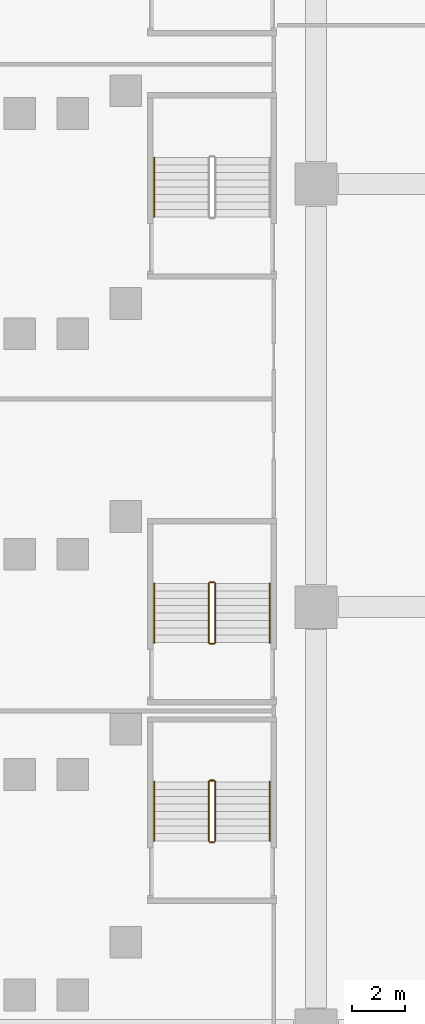
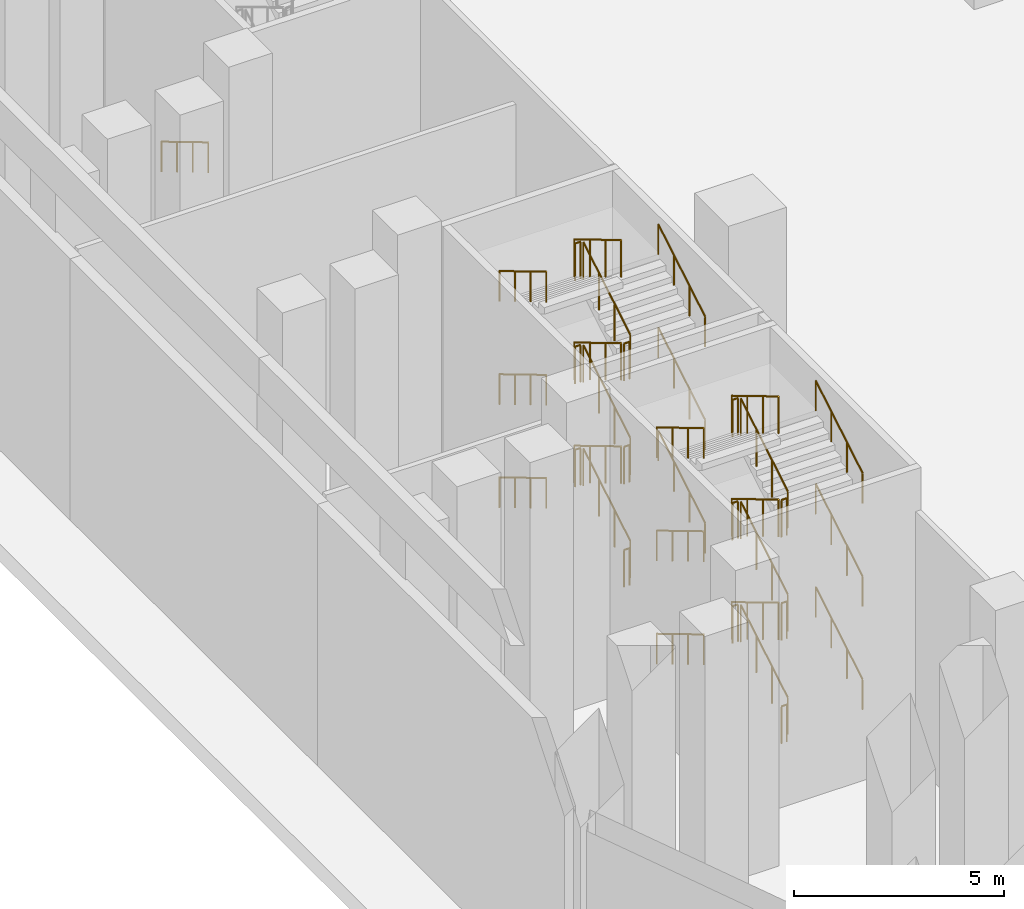
# One storey, part 17 of 25: 37 railings.
"""IFC4 building model written with IfcOpenShell, lengths in metres."""

import ifcopenshell
import ifcopenshell.guid

model = None  # the IFC model being written
_history = None  # IfcOwnerHistory: only IFC2X3 demands one
_inside = {}  # id of a spatial element -> (the spatial element, [elements in it])
_under = {}  # id of a project, library or spatial element -> (it, [spatial elements below it])
_declared = {}  # id of a project -> (the project, [libraries it declares])
_typed = {}  # id of a type object -> (the type object, [elements of that type])
_made_of = {}  # id of a material, layer set ... -> (it, [elements and type objects made of it])


def new_model(schema):
    """Start an empty IFC model of exactly this schema.

    Asked for "IFC4X3", IfcOpenShell would pick the latest addendum, in which some entities
    have other attributes; the version numbers below select the first issue.
    IFC2X3 requires an IfcOwnerHistory on every rooted entity: one is made here for all.
    """
    global model, _history
    if schema == "IFC4X3":
        model = ifcopenshell.file(schema_version=(4, 3, 0, 0))
    else:
        model = ifcopenshell.file(schema=schema)
    _inside.clear()
    _under.clear()
    _declared.clear()
    _typed.clear()
    _made_of.clear()
    _history = None
    if model.schema == "IFC2X3":
        org = make("IfcOrganization", Name="unknown")
        user = make(
            "IfcPersonAndOrganization",
            ThePerson=make("IfcPerson", FamilyName="unknown"),
            TheOrganization=org,
        )
        app = make(
            "IfcApplication",
            ApplicationDeveloper=org,
            Version="unknown",
            ApplicationFullName="unknown",
            ApplicationIdentifier="unknown",
        )
        _history = make(
            "IfcOwnerHistory",
            OwningUser=user,
            OwningApplication=app,
            ChangeAction="ADDED",
            CreationDate=0,
        )
    return model


def make(cls, **values):
    """One entity of the class cls with the attributes given. An attribute that is None is left unset."""
    return model.create_entity(
        cls, **{name: value for name, value in values.items() if value is not None}
    )


def rooted(cls, **values):
    """An entity with a GlobalId (a new one), such as an element, a storey or a relation."""
    return make(cls, GlobalId=ifcopenshell.guid.new(), OwnerHistory=_history, **values)


def si_unit(unit_type, name, prefix=None):
    """IfcSIUnit, for example si_unit("LENGTHUNIT", "METRE", prefix="MILLI")."""
    return make("IfcSIUnit", UnitType=unit_type, Prefix=prefix, Name=name)


def assignment(units):
    """IfcUnitAssignment: the units of a project."""
    return None if units is None else make("IfcUnitAssignment", Units=units)


def point(xyz):
    """IfcCartesianPoint."""
    return None if xyz is None else make("IfcCartesianPoint", Coordinates=xyz)


def direction(xyz):
    """IfcDirection."""
    return None if xyz is None else make("IfcDirection", DirectionRatios=xyz)


def frame(location, z_axis=None, x_axis=None):
    """IfcAxis2Placement3D, a coordinate frame: its origin and axes. An axis left out is left unset."""
    return make(
        "IfcAxis2Placement3D",
        Location=point(location),
        Axis=direction(z_axis),
        RefDirection=direction(x_axis),
    )


def frame_2d(location, x_axis=None):
    """IfcAxis2Placement2D, a coordinate frame in the plane: its origin and x axis."""
    return make(
        "IfcAxis2Placement2D", Location=point(location), RefDirection=direction(x_axis)
    )


def origin():
    """The frame at (0, 0, 0) with its axes left unset."""
    return frame((0.0, 0.0, 0.0))


def origin_2d():
    """The frame at (0, 0) in the plane with its x axis left unset."""
    return frame_2d((0.0, 0.0))


def place(relative_to, where):
    """IfcLocalPlacement: puts the frame where relative to a parent placement (None: the world)."""
    return make(
        "IfcLocalPlacement", PlacementRelTo=relative_to, RelativePlacement=where
    )


def context(
    kind, dimensions, precision=None, world=None, true_north=None, identifier=None
):
    """IfcGeometricRepresentationContext, for example the 3D "Model" context."""
    return make(
        "IfcGeometricRepresentationContext",
        ContextIdentifier=identifier,
        ContextType=kind,
        CoordinateSpaceDimension=dimensions,
        Precision=precision,
        WorldCoordinateSystem=world,
        TrueNorth=true_north,
    )


def subcontext(parent, identifier, kind, view, scale=None):
    """IfcGeometricRepresentationSubContext, for example "Body" below "Model"."""
    return make(
        "IfcGeometricRepresentationSubContext",
        ContextIdentifier=identifier,
        ContextType=kind,
        ParentContext=parent,
        TargetScale=scale,
        TargetView=view,
    )


def project(units=None, contexts=None):
    """IfcProject with its units and contexts."""
    return rooted(
        "IfcProject",
        Name="project",
        RepresentationContexts=contexts,
        UnitsInContext=assignment(units),
    )


def spatial(cls, under=None, at=None, **own):
    """A site, building, storey or space (cls), placed at a placement, below another one or the project."""
    s = rooted(cls, ObjectPlacement=at, **own)
    if under is not None:
        _under.setdefault(under.id(), (under, []))[1].append(s)
    return s


def profile(cls, at=None, kind="AREA", **sizes):
    """A parametric profile (cls). Its sizes go by their IFC names, for example OverallWidth=200.0."""
    return make(cls, ProfileType=kind, Position=at, **sizes)


def circle(**sizes):
    """IfcCircleProfileDef."""
    return profile("IfcCircleProfileDef", **sizes)


def extrude(swept, where, along, depth):
    """IfcExtrudedAreaSolid: the profile swept, set in the frame where, extruded along a direction by depth."""
    return make(
        "IfcExtrudedAreaSolid",
        SweptArea=swept,
        Position=where,
        ExtrudedDirection=direction(along),
        Depth=depth,
    )


def shape(context_of_items, identifier, shape_type, items):
    """IfcShapeRepresentation: the items that make up one representation, for example the "Body"."""
    return make(
        "IfcShapeRepresentation",
        ContextOfItems=context_of_items,
        RepresentationIdentifier=identifier,
        RepresentationType=shape_type,
        Items=items,
    )


def material(Name=None, Category=None):
    """IfcMaterial."""
    return make("IfcMaterial", Name=Name, Category=Category)


def made_of(thing, what):
    """Note that an element or type object is made of a material, layer set ...; save() writes the relation."""
    if what is not None:
        _made_of.setdefault(what.id(), (what, []))[1].append(thing)
    return thing


def type_object(cls, material=None, **own):
    """A type object (cls), such as IfcWallType, which elements share."""
    return made_of(rooted(cls, **own), material)


def element(
    cls,
    number,
    at=None,
    inside=None,
    cuts=None,
    type_object=None,
    material=None,
    context=None,
    identifier="Body",
    shape_type=None,
    held_by="IfcProductDefinitionShape",
    body=None,
    shapes=None,
    **own,
):
    """One element of the class cls, such as IfcWall. Its Tag is "e" and its number.

    at: its placement. inside: the storey or other place that contains it. cuts: it is an
    opening in that element (IfcRelVoidsElement). A single representation is given by context,
    identifier, shape_type and body (its items); several are given by shapes. held_by: the class
    of the entity that holds the representations. save() writes the other relations.
    """
    e = rooted(cls, Tag="e%d" % number, ObjectPlacement=at, **own)
    if body is not None:
        shapes = [shape(context, identifier, shape_type, body)]
    if shapes is not None:
        e.Representation = make(held_by, Representations=shapes)
    if inside is not None:
        _inside.setdefault(inside.id(), (inside, []))[1].append(e)
    if cuts is not None:
        rooted(
            "IfcRelVoidsElement", RelatingBuildingElement=cuts, RelatedOpeningElement=e
        )
    if type_object is not None:
        _typed.setdefault(type_object.id(), (type_object, []))[1].append(e)
    return made_of(e, material)


def aggregate(whole, parts):
    """IfcRelAggregates: a whole, such as a stair, and the parts it consists of."""
    return rooted("IfcRelAggregates", RelatingObject=whole, RelatedObjects=parts)


def save(model, path):
    """Write the relations noted so far, then the file.

    IfcRelAggregates (storeys below a building ...), IfcRelContainedInSpatialStructure (elements
    in a storey), IfcRelDefinesByType, IfcRelAssociatesMaterial and IfcRelDeclares: one each for
    every whole, place, type object, material and project.
    """
    for whole, parts in _under.values():
        aggregate(whole, parts)
    for where, things in _inside.values():
        rooted(
            "IfcRelContainedInSpatialStructure",
            RelatedElements=things,
            RelatingStructure=where,
        )
    for kind, things in _typed.values():
        rooted("IfcRelDefinesByType", RelatedObjects=things, RelatingType=kind)
    for what, things in _made_of.values():
        rooted("IfcRelAssociatesMaterial", RelatedObjects=things, RelatingMaterial=what)
    for by, libraries in _declared.values():
        rooted("IfcRelDeclares", RelatingContext=by, RelatedDefinitions=libraries)
    model.write(path)


model = new_model("IFC4")

# Units and contexts
model_context = context("Model", 3, precision=1e-05, world=origin(), true_north=direction((0.0, 1.0)))
body_context = subcontext(model_context, "Body", "Model", "MODEL_VIEW")
ifc_project = project(units=[si_unit("LENGTHUNIT", "METRE"), si_unit("AREAUNIT", "SQUARE_METRE"), si_unit("VOLUMEUNIT", "CUBIC_METRE"), si_unit("PLANEANGLEUNIT", "RADIAN"), si_unit("MASSUNIT", "GRAM", prefix="KILO")], contexts=[model_context])

# Site, building, storey
site_placement = place(None, origin())
site = spatial("IfcSite", under=ifc_project, at=site_placement, CompositionType="ELEMENT")
building_placement = place(site_placement, origin())
building = spatial("IfcBuilding", under=site, at=building_placement, Name="Calabash Gate Tower", CompositionType="ELEMENT")
storey_placement = place(building_placement, frame((0.0, 0.0, 20.0)))
storey = spatial("IfcBuildingStorey", under=building, at=storey_placement, Name="L02", CompositionType="ELEMENT", Elevation=20.0)

# Railings
ifc_material_1 = material(Name="Black powder-coated steel balusters", Category="steel")
railing_type_1 = type_object("IfcRailingType", Name="Stair guard RL1100", PredefinedType="GUARDRAIL", material=ifc_material_1)
railing_1_placement = place(storey_placement, frame((-35.81005859375, -32.840087890625, 0.166748046875)))
element("IfcRailing", 1, at=railing_1_placement, inside=storey, type_object=railing_type_1, Name="L02 PS1 stair guard 1", PredefinedType="GUARDRAIL", context=body_context, shape_type="SweptSolid", body=[
    extrude(circle(Radius=0.02392578125, at=origin_2d()), frame((0.0, 0.0, 1.076171875), z_axis=(0.0, 0.8585185817, 0.512782453753), x_axis=(-1.0, 0.0, 0.0)), (0.0, 0.0, 1.0), 2.60009765625),
    extrude(circle(Radius=0.02099609375, at=origin_2d()), origin(), (0.0, 0.0, 1.0), 1.052001953125),
    extrude(circle(Radius=0.02099609375, at=origin_2d()), frame((0.0, 0.744140625, 0.4443359375)), (0.0, 0.0, 1.0), 1.052001953125),
    extrude(circle(Radius=0.02099609375, at=origin_2d()), frame((0.0, 1.488037109375, 0.888916015625)), (0.0, 0.0, 1.0), 1.052001953125),
    extrude(circle(Radius=0.02099609375, at=origin_2d()), frame((0.0, 2.232177734375, 1.333251953125)), (0.0, 0.0, 1.0), 1.052001953125),
])
railing_2_placement = place(storey_placement, frame((-35.860107421875, -30.55810546875, 1.5)))
element("IfcRailing", 2, at=railing_2_placement, inside=storey, type_object=railing_type_1, Name="L02 PS1 stair guard 2", PredefinedType="GUARDRAIL", context=body_context, shape_type="SweptSolid", body=[
    extrude(circle(Radius=0.02392578125, at=origin_2d()), frame((0.0, 0.0, 1.076171875), z_axis=(-1.0, 0.0, 0.0), x_axis=(0.0, -1.0, 0.0)), (0.0, 0.0, 1.0), 0.14990234375),
    extrude(circle(Radius=0.02099609375, at=origin_2d()), origin(), (0.0, 0.0, 1.0), 1.052001953125),
    extrude(circle(Radius=0.02099609375, at=origin_2d()), frame((-0.14990234375, 0.0, 0.0)), (0.0, 0.0, 1.0), 1.052001953125),
])
railing_3_placement = place(storey_placement, frame((-36.06005859375, -30.60791015625, 1.666748046875)))
element("IfcRailing", 3, at=railing_3_placement, inside=storey, type_object=railing_type_1, Name="L02 PS1 stair guard 3", PredefinedType="GUARDRAIL", context=body_context, shape_type="SweptSolid", body=[
    extrude(circle(Radius=0.02392578125, at=origin_2d()), frame((0.0, 0.0, 1.076171875), z_axis=(0.0, -0.8585185817, 0.512782453753), x_axis=(1.0, 0.0, 0.0)), (0.0, 0.0, 1.0), 2.60009765625),
    extrude(circle(Radius=0.02099609375, at=origin_2d()), origin(), (0.0, 0.0, 1.0), 1.052001953125),
    extrude(circle(Radius=0.02099609375, at=origin_2d()), frame((0.0, -0.744140625, 0.4443359375)), (0.0, 0.0, 1.0), 1.052001953125),
    extrude(circle(Radius=0.02099609375, at=origin_2d()), frame((0.0, -1.488037109375, 0.888916015625)), (0.0, 0.0, 1.0), 1.052001953125),
    extrude(circle(Radius=0.02099609375, at=origin_2d()), frame((0.0, -2.232177734375, 1.333251953125)), (0.0, 0.0, 1.0), 1.052001953125),
])
railing_4_placement = place(storey_placement, frame((-35.860107421875, -32.889892578125, 3.0)))
element("IfcRailing", 4, at=railing_4_placement, inside=storey, type_object=railing_type_1, Name="L02 PS1 stair guard 4", PredefinedType="GUARDRAIL", context=body_context, shape_type="SweptSolid", body=[
    extrude(circle(Radius=0.02392578125, at=origin_2d()), frame((0.0, 0.0, 1.076171875), z_axis=(-1.0, 0.0, 0.0), x_axis=(0.0, -1.0, 0.0)), (0.0, 0.0, 1.0), 0.14990234375),
    extrude(circle(Radius=0.02099609375, at=origin_2d()), origin(), (0.0, 0.0, 1.0), 1.052001953125),
    extrude(circle(Radius=0.02099609375, at=origin_2d()), frame((-0.14990234375, 0.0, 0.0)), (0.0, 0.0, 1.0), 1.052001953125),
])
railing_5_placement = place(storey_placement, frame((-35.81005859375, -32.840087890625, 3.166748046875)))
element("IfcRailing", 5, at=railing_5_placement, inside=storey, type_object=railing_type_1, Name="L02 PS1 stair guard 5", PredefinedType="GUARDRAIL", context=body_context, shape_type="SweptSolid", body=[
    extrude(circle(Radius=0.02392578125, at=origin_2d()), frame((0.0, 0.0, 1.076171875), z_axis=(0.0, 0.8585185817, 0.512782453753), x_axis=(-1.0, 0.0, 0.0)), (0.0, 0.0, 1.0), 2.60009765625),
    extrude(circle(Radius=0.02099609375, at=origin_2d()), origin(), (0.0, 0.0, 1.0), 1.052001953125),
    extrude(circle(Radius=0.02099609375, at=origin_2d()), frame((0.0, 0.744140625, 0.4443359375)), (0.0, 0.0, 1.0), 1.052001953125),
    extrude(circle(Radius=0.02099609375, at=origin_2d()), frame((0.0, 1.488037109375, 0.888916015625)), (0.0, 0.0, 1.0), 1.052001953125),
    extrude(circle(Radius=0.02099609375, at=origin_2d()), frame((0.0, 2.232177734375, 1.333251953125)), (0.0, 0.0, 1.0), 1.052001953125),
])
railing_6_placement = place(storey_placement, frame((-35.860107421875, -30.55810546875, 4.5)))
element("IfcRailing", 6, at=railing_6_placement, inside=storey, type_object=railing_type_1, Name="L02 PS1 stair guard 6", PredefinedType="GUARDRAIL", context=body_context, shape_type="SweptSolid", body=[
    extrude(circle(Radius=0.02392578125, at=origin_2d()), frame((0.0, 0.0, 1.076171875), z_axis=(-1.0, 0.0, 0.0), x_axis=(0.0, -1.0, 0.0)), (0.0, 0.0, 1.0), 0.14990234375),
    extrude(circle(Radius=0.02099609375, at=origin_2d()), origin(), (0.0, 0.0, 1.0), 1.052001953125),
    extrude(circle(Radius=0.02099609375, at=origin_2d()), frame((-0.14990234375, 0.0, 0.0)), (0.0, 0.0, 1.0), 1.052001953125),
])
railing_7_placement = place(storey_placement, frame((-36.06005859375, -30.60791015625, 4.666748046875)))
element("IfcRailing", 7, at=railing_7_placement, inside=storey, type_object=railing_type_1, Name="L02 PS1 stair guard 7", PredefinedType="GUARDRAIL", context=body_context, shape_type="SweptSolid", body=[
    extrude(circle(Radius=0.02392578125, at=origin_2d()), frame((0.0, 0.0, 1.076171875), z_axis=(0.0, -0.8585185817, 0.512782453753), x_axis=(1.0, 0.0, 0.0)), (0.0, 0.0, 1.0), 2.60009765625),
    extrude(circle(Radius=0.02099609375, at=origin_2d()), origin(), (0.0, 0.0, 1.0), 1.052001953125),
    extrude(circle(Radius=0.02099609375, at=origin_2d()), frame((0.0, -0.744140625, 0.4443359375)), (0.0, 0.0, 1.0), 1.052001953125),
    extrude(circle(Radius=0.02099609375, at=origin_2d()), frame((0.0, -1.488037109375, 0.888916015625)), (0.0, 0.0, 1.0), 1.052001953125),
    extrude(circle(Radius=0.02099609375, at=origin_2d()), frame((0.0, -2.232177734375, 1.333251953125)), (0.0, 0.0, 1.0), 1.052001953125),
])
railing_8_placement = place(storey_placement, frame((-35.860107421875, -32.889892578125, 6.0)))
element("IfcRailing", 8, at=railing_8_placement, inside=storey, type_object=railing_type_1, Name="L02 PS1 stair guard 8", PredefinedType="GUARDRAIL", context=body_context, shape_type="SweptSolid", body=[
    extrude(circle(Radius=0.02392578125, at=origin_2d()), frame((0.0, 0.0, 1.076171875), z_axis=(-1.0, 0.0, 0.0), x_axis=(0.0, -1.0, 0.0)), (0.0, 0.0, 1.0), 0.14990234375),
    extrude(circle(Radius=0.02099609375, at=origin_2d()), origin(), (0.0, 0.0, 1.0), 1.052001953125),
    extrude(circle(Radius=0.02099609375, at=origin_2d()), frame((-0.14990234375, 0.0, 0.0)), (0.0, 0.0, 1.0), 1.052001953125),
])
railing_9_placement = place(storey_placement, frame((-35.81005859375, -32.840087890625, 6.166748046875)))
element("IfcRailing", 9, at=railing_9_placement, inside=storey, type_object=railing_type_1, Name="L02 PS1 stair guard 9", PredefinedType="GUARDRAIL", context=body_context, shape_type="SweptSolid", body=[
    extrude(circle(Radius=0.02392578125, at=origin_2d()), frame((0.0, 0.0, 1.076171875), z_axis=(0.0, 0.8585185817, 0.512782453753), x_axis=(-1.0, 0.0, 0.0)), (0.0, 0.0, 1.0), 2.60009765625),
    extrude(circle(Radius=0.02099609375, at=origin_2d()), origin(), (0.0, 0.0, 1.0), 1.052001953125),
    extrude(circle(Radius=0.02099609375, at=origin_2d()), frame((0.0, 0.744140625, 0.4443359375)), (0.0, 0.0, 1.0), 1.052001953125),
    extrude(circle(Radius=0.02099609375, at=origin_2d()), frame((0.0, 1.488037109375, 0.888916015625)), (0.0, 0.0, 1.0), 1.052001953125),
    extrude(circle(Radius=0.02099609375, at=origin_2d()), frame((0.0, 2.232177734375, 1.333251953125)), (0.0, 0.0, 1.0), 1.052001953125),
])
railing_10_placement = place(storey_placement, frame((-35.860107421875, -30.55810546875, 7.5)))
element("IfcRailing", 10, at=railing_10_placement, inside=storey, type_object=railing_type_1, Name="L02 PS1 stair guard 10", PredefinedType="GUARDRAIL", context=body_context, shape_type="SweptSolid", body=[
    extrude(circle(Radius=0.02392578125, at=origin_2d()), frame((0.0, 0.0, 1.076171875), z_axis=(-1.0, 0.0, 0.0), x_axis=(0.0, -1.0, 0.0)), (0.0, 0.0, 1.0), 0.14990234375),
    extrude(circle(Radius=0.02099609375, at=origin_2d()), origin(), (0.0, 0.0, 1.0), 1.052001953125),
    extrude(circle(Radius=0.02099609375, at=origin_2d()), frame((-0.14990234375, 0.0, 0.0)), (0.0, 0.0, 1.0), 1.052001953125),
])
railing_11_placement = place(storey_placement, frame((-36.06005859375, -30.60791015625, 7.666748046875)))
element("IfcRailing", 11, at=railing_11_placement, inside=storey, type_object=railing_type_1, Name="L02 PS1 stair guard 11", PredefinedType="GUARDRAIL", context=body_context, shape_type="SweptSolid", body=[
    extrude(circle(Radius=0.02392578125, at=origin_2d()), frame((0.0, 0.0, 1.076171875), z_axis=(0.0, -0.8585185817, 0.512782453753), x_axis=(1.0, 0.0, 0.0)), (0.0, 0.0, 1.0), 2.60009765625),
    extrude(circle(Radius=0.02099609375, at=origin_2d()), origin(), (0.0, 0.0, 1.0), 1.052001953125),
    extrude(circle(Radius=0.02099609375, at=origin_2d()), frame((0.0, -0.744140625, 0.4443359375)), (0.0, 0.0, 1.0), 1.052001953125),
    extrude(circle(Radius=0.02099609375, at=origin_2d()), frame((0.0, -1.488037109375, 0.888916015625)), (0.0, 0.0, 1.0), 1.052001953125),
    extrude(circle(Radius=0.02099609375, at=origin_2d()), frame((0.0, -2.232177734375, 1.333251953125)), (0.0, 0.0, 1.0), 1.052001953125),
])
railing_12_placement = place(storey_placement, frame((-35.860107421875, -32.889892578125, 0.0)))
element("IfcRailing", 12, at=railing_12_placement, inside=storey, type_object=railing_type_1, Name="L02 PS1 stair guard 12", PredefinedType="GUARDRAIL", context=body_context, shape_type="SweptSolid", body=[
    extrude(circle(Radius=0.02392578125, at=origin_2d()), frame((0.0, 0.0, 1.076171875), z_axis=(-1.0, 0.0, 0.0), x_axis=(0.0, -1.0, 0.0)), (0.0, 0.0, 1.0), 0.14990234375),
    extrude(circle(Radius=0.02099609375, at=origin_2d()), origin(), (0.0, 0.0, 1.0), 1.052001953125),
    extrude(circle(Radius=0.02099609375, at=origin_2d()), frame((-0.14990234375, 0.0, 0.0)), (0.0, 0.0, 1.0), 1.052001953125),
])
railing_13_placement = place(storey_placement, frame((-35.81005859375, -25.340087890625, 0.166748046875)))
element("IfcRailing", 13, at=railing_13_placement, inside=storey, type_object=railing_type_1, Name="L02 PS2 stair guard 1", PredefinedType="GUARDRAIL", context=body_context, shape_type="SweptSolid", body=[
    extrude(circle(Radius=0.02392578125, at=origin_2d()), frame((0.0, 0.0, 1.076171875), z_axis=(0.0, 0.8585185817, 0.512782453753), x_axis=(-1.0, 0.0, 0.0)), (0.0, 0.0, 1.0), 2.60009765625),
    extrude(circle(Radius=0.02099609375, at=origin_2d()), origin(), (0.0, 0.0, 1.0), 1.052001953125),
    extrude(circle(Radius=0.02099609375, at=origin_2d()), frame((0.0, 0.744140625, 0.4443359375)), (0.0, 0.0, 1.0), 1.052001953125),
    extrude(circle(Radius=0.02099609375, at=origin_2d()), frame((0.0, 1.488037109375, 0.888916015625)), (0.0, 0.0, 1.0), 1.052001953125),
    extrude(circle(Radius=0.02099609375, at=origin_2d()), frame((0.0, 2.232177734375, 1.333251953125)), (0.0, 0.0, 1.0), 1.052001953125),
])
railing_14_placement = place(storey_placement, frame((-35.860107421875, -23.05810546875, 1.5)))
element("IfcRailing", 14, at=railing_14_placement, inside=storey, type_object=railing_type_1, Name="L02 PS2 stair guard 2", PredefinedType="GUARDRAIL", context=body_context, shape_type="SweptSolid", body=[
    extrude(circle(Radius=0.02392578125, at=origin_2d()), frame((0.0, 0.0, 1.076171875), z_axis=(-1.0, 0.0, 0.0), x_axis=(0.0, -1.0, 0.0)), (0.0, 0.0, 1.0), 0.14990234375),
    extrude(circle(Radius=0.02099609375, at=origin_2d()), origin(), (0.0, 0.0, 1.0), 1.052001953125),
    extrude(circle(Radius=0.02099609375, at=origin_2d()), frame((-0.14990234375, 0.0, 0.0)), (0.0, 0.0, 1.0), 1.052001953125),
])
railing_15_placement = place(storey_placement, frame((-36.06005859375, -23.10791015625, 1.666748046875)))
element("IfcRailing", 15, at=railing_15_placement, inside=storey, type_object=railing_type_1, Name="L02 PS2 stair guard 3", PredefinedType="GUARDRAIL", context=body_context, shape_type="SweptSolid", body=[
    extrude(circle(Radius=0.02392578125, at=origin_2d()), frame((0.0, 0.0, 1.076171875), z_axis=(0.0, -0.8585185817, 0.512782453753), x_axis=(1.0, 0.0, 0.0)), (0.0, 0.0, 1.0), 2.60009765625),
    extrude(circle(Radius=0.02099609375, at=origin_2d()), origin(), (0.0, 0.0, 1.0), 1.052001953125),
    extrude(circle(Radius=0.02099609375, at=origin_2d()), frame((0.0, -0.744140625, 0.4443359375)), (0.0, 0.0, 1.0), 1.052001953125),
    extrude(circle(Radius=0.02099609375, at=origin_2d()), frame((0.0, -1.488037109375, 0.888916015625)), (0.0, 0.0, 1.0), 1.052001953125),
    extrude(circle(Radius=0.02099609375, at=origin_2d()), frame((0.0, -2.232177734375, 1.333251953125)), (0.0, 0.0, 1.0), 1.052001953125),
])
railing_16_placement = place(storey_placement, frame((-35.860107421875, -25.389892578125, 3.0)))
element("IfcRailing", 16, at=railing_16_placement, inside=storey, type_object=railing_type_1, Name="L02 PS2 stair guard 4", PredefinedType="GUARDRAIL", context=body_context, shape_type="SweptSolid", body=[
    extrude(circle(Radius=0.02392578125, at=origin_2d()), frame((0.0, 0.0, 1.076171875), z_axis=(-1.0, 0.0, 0.0), x_axis=(0.0, -1.0, 0.0)), (0.0, 0.0, 1.0), 0.14990234375),
    extrude(circle(Radius=0.02099609375, at=origin_2d()), origin(), (0.0, 0.0, 1.0), 1.052001953125),
    extrude(circle(Radius=0.02099609375, at=origin_2d()), frame((-0.14990234375, 0.0, 0.0)), (0.0, 0.0, 1.0), 1.052001953125),
])
railing_17_placement = place(storey_placement, frame((-35.81005859375, -25.340087890625, 3.166748046875)))
element("IfcRailing", 17, at=railing_17_placement, inside=storey, type_object=railing_type_1, Name="L02 PS2 stair guard 5", PredefinedType="GUARDRAIL", context=body_context, shape_type="SweptSolid", body=[
    extrude(circle(Radius=0.02392578125, at=origin_2d()), frame((0.0, 0.0, 1.076171875), z_axis=(0.0, 0.8585185817, 0.512782453753), x_axis=(-1.0, 0.0, 0.0)), (0.0, 0.0, 1.0), 2.60009765625),
    extrude(circle(Radius=0.02099609375, at=origin_2d()), origin(), (0.0, 0.0, 1.0), 1.052001953125),
    extrude(circle(Radius=0.02099609375, at=origin_2d()), frame((0.0, 0.744140625, 0.4443359375)), (0.0, 0.0, 1.0), 1.052001953125),
    extrude(circle(Radius=0.02099609375, at=origin_2d()), frame((0.0, 1.488037109375, 0.888916015625)), (0.0, 0.0, 1.0), 1.052001953125),
    extrude(circle(Radius=0.02099609375, at=origin_2d()), frame((0.0, 2.232177734375, 1.333251953125)), (0.0, 0.0, 1.0), 1.052001953125),
])
railing_18_placement = place(storey_placement, frame((-35.860107421875, -23.05810546875, 4.5)))
element("IfcRailing", 18, at=railing_18_placement, inside=storey, type_object=railing_type_1, Name="L02 PS2 stair guard 6", PredefinedType="GUARDRAIL", context=body_context, shape_type="SweptSolid", body=[
    extrude(circle(Radius=0.02392578125, at=origin_2d()), frame((0.0, 0.0, 1.076171875), z_axis=(-1.0, 0.0, 0.0), x_axis=(0.0, -1.0, 0.0)), (0.0, 0.0, 1.0), 0.14990234375),
    extrude(circle(Radius=0.02099609375, at=origin_2d()), origin(), (0.0, 0.0, 1.0), 1.052001953125),
    extrude(circle(Radius=0.02099609375, at=origin_2d()), frame((-0.14990234375, 0.0, 0.0)), (0.0, 0.0, 1.0), 1.052001953125),
])
railing_19_placement = place(storey_placement, frame((-36.06005859375, -23.10791015625, 4.666748046875)))
element("IfcRailing", 19, at=railing_19_placement, inside=storey, type_object=railing_type_1, Name="L02 PS2 stair guard 7", PredefinedType="GUARDRAIL", context=body_context, shape_type="SweptSolid", body=[
    extrude(circle(Radius=0.02392578125, at=origin_2d()), frame((0.0, 0.0, 1.076171875), z_axis=(0.0, -0.8585185817, 0.512782453753), x_axis=(1.0, 0.0, 0.0)), (0.0, 0.0, 1.0), 2.60009765625),
    extrude(circle(Radius=0.02099609375, at=origin_2d()), origin(), (0.0, 0.0, 1.0), 1.052001953125),
    extrude(circle(Radius=0.02099609375, at=origin_2d()), frame((0.0, -0.744140625, 0.4443359375)), (0.0, 0.0, 1.0), 1.052001953125),
    extrude(circle(Radius=0.02099609375, at=origin_2d()), frame((0.0, -1.488037109375, 0.888916015625)), (0.0, 0.0, 1.0), 1.052001953125),
    extrude(circle(Radius=0.02099609375, at=origin_2d()), frame((0.0, -2.232177734375, 1.333251953125)), (0.0, 0.0, 1.0), 1.052001953125),
])
railing_20_placement = place(storey_placement, frame((-35.860107421875, -25.389892578125, 6.0)))
element("IfcRailing", 20, at=railing_20_placement, inside=storey, type_object=railing_type_1, Name="L02 PS2 stair guard 8", PredefinedType="GUARDRAIL", context=body_context, shape_type="SweptSolid", body=[
    extrude(circle(Radius=0.02392578125, at=origin_2d()), frame((0.0, 0.0, 1.076171875), z_axis=(-1.0, 0.0, 0.0), x_axis=(0.0, -1.0, 0.0)), (0.0, 0.0, 1.0), 0.14990234375),
    extrude(circle(Radius=0.02099609375, at=origin_2d()), origin(), (0.0, 0.0, 1.0), 1.052001953125),
    extrude(circle(Radius=0.02099609375, at=origin_2d()), frame((-0.14990234375, 0.0, 0.0)), (0.0, 0.0, 1.0), 1.052001953125),
])
railing_21_placement = place(storey_placement, frame((-35.81005859375, -25.340087890625, 6.166748046875)))
element("IfcRailing", 21, at=railing_21_placement, inside=storey, type_object=railing_type_1, Name="L02 PS2 stair guard 9", PredefinedType="GUARDRAIL", context=body_context, shape_type="SweptSolid", body=[
    extrude(circle(Radius=0.02392578125, at=origin_2d()), frame((0.0, 0.0, 1.076171875), z_axis=(0.0, 0.8585185817, 0.512782453753), x_axis=(-1.0, 0.0, 0.0)), (0.0, 0.0, 1.0), 2.60009765625),
    extrude(circle(Radius=0.02099609375, at=origin_2d()), origin(), (0.0, 0.0, 1.0), 1.052001953125),
    extrude(circle(Radius=0.02099609375, at=origin_2d()), frame((0.0, 0.744140625, 0.4443359375)), (0.0, 0.0, 1.0), 1.052001953125),
    extrude(circle(Radius=0.02099609375, at=origin_2d()), frame((0.0, 1.488037109375, 0.888916015625)), (0.0, 0.0, 1.0), 1.052001953125),
    extrude(circle(Radius=0.02099609375, at=origin_2d()), frame((0.0, 2.232177734375, 1.333251953125)), (0.0, 0.0, 1.0), 1.052001953125),
])
railing_22_placement = place(storey_placement, frame((-35.860107421875, -23.05810546875, 7.5)))
element("IfcRailing", 22, at=railing_22_placement, inside=storey, type_object=railing_type_1, Name="L02 PS2 stair guard 10", PredefinedType="GUARDRAIL", context=body_context, shape_type="SweptSolid", body=[
    extrude(circle(Radius=0.02392578125, at=origin_2d()), frame((0.0, 0.0, 1.076171875), z_axis=(-1.0, 0.0, 0.0), x_axis=(0.0, -1.0, 0.0)), (0.0, 0.0, 1.0), 0.14990234375),
    extrude(circle(Radius=0.02099609375, at=origin_2d()), origin(), (0.0, 0.0, 1.0), 1.052001953125),
    extrude(circle(Radius=0.02099609375, at=origin_2d()), frame((-0.14990234375, 0.0, 0.0)), (0.0, 0.0, 1.0), 1.052001953125),
])
railing_23_placement = place(storey_placement, frame((-36.06005859375, -23.10791015625, 7.666748046875)))
element("IfcRailing", 23, at=railing_23_placement, inside=storey, type_object=railing_type_1, Name="L02 PS2 stair guard 11", PredefinedType="GUARDRAIL", context=body_context, shape_type="SweptSolid", body=[
    extrude(circle(Radius=0.02392578125, at=origin_2d()), frame((0.0, 0.0, 1.076171875), z_axis=(0.0, -0.8585185817, 0.512782453753), x_axis=(1.0, 0.0, 0.0)), (0.0, 0.0, 1.0), 2.60009765625),
    extrude(circle(Radius=0.02099609375, at=origin_2d()), origin(), (0.0, 0.0, 1.0), 1.052001953125),
    extrude(circle(Radius=0.02099609375, at=origin_2d()), frame((0.0, -0.744140625, 0.4443359375)), (0.0, 0.0, 1.0), 1.052001953125),
    extrude(circle(Radius=0.02099609375, at=origin_2d()), frame((0.0, -1.488037109375, 0.888916015625)), (0.0, 0.0, 1.0), 1.052001953125),
    extrude(circle(Radius=0.02099609375, at=origin_2d()), frame((0.0, -2.232177734375, 1.333251953125)), (0.0, 0.0, 1.0), 1.052001953125),
])
railing_24_placement = place(storey_placement, frame((-35.860107421875, -25.389892578125, 0.0)))
element("IfcRailing", 24, at=railing_24_placement, inside=storey, type_object=railing_type_1, Name="L02 PS2 stair guard 12", PredefinedType="GUARDRAIL", context=body_context, shape_type="SweptSolid", body=[
    extrude(circle(Radius=0.02392578125, at=origin_2d()), frame((0.0, 0.0, 1.076171875), z_axis=(-1.0, 0.0, 0.0), x_axis=(0.0, -1.0, 0.0)), (0.0, 0.0, 1.0), 0.14990234375),
    extrude(circle(Radius=0.02099609375, at=origin_2d()), origin(), (0.0, 0.0, 1.0), 1.052001953125),
    extrude(circle(Radius=0.02099609375, at=origin_2d()), frame((-0.14990234375, 0.0, 0.0)), (0.0, 0.0, 1.0), 1.052001953125),
])
ifc_material_2 = material(Name="Black powder-coated steel tube 48 mm", Category="steel")
railing_type_2 = type_object("IfcRailingType", Name="Stair handrail RL900", PredefinedType="HANDRAIL", material=ifc_material_2)
railing_25_placement = place(storey_placement, frame((-33.75, -32.840087890625, 0.166748046875)))
element("IfcRailing", 25, at=railing_25_placement, inside=storey, type_object=railing_type_2, Name="L02 PS1 stair handrail 1", PredefinedType="HANDRAIL", context=body_context, shape_type="SweptSolid", body=[
    extrude(circle(Radius=0.02392578125, at=origin_2d()), frame((0.0, 0.0, 0.8759765625), z_axis=(0.0, 0.8585185817, 0.512782453753), x_axis=(-1.0, 0.0, 0.0)), (0.0, 0.0, 1.0), 2.60009765625),
    extrude(circle(Radius=0.02099609375, at=origin_2d()), origin(), (0.0, 0.0, 1.0), 0.851806640625),
    extrude(circle(Radius=0.02099609375, at=origin_2d()), frame((0.0, 0.744140625, 0.4443359375)), (0.0, 0.0, 1.0), 0.851806640625),
    extrude(circle(Radius=0.02099609375, at=origin_2d()), frame((0.0, 1.488037109375, 0.888916015625)), (0.0, 0.0, 1.0), 0.851806640625),
    extrude(circle(Radius=0.02099609375, at=origin_2d()), frame((0.0, 2.232177734375, 1.333251953125)), (0.0, 0.0, 1.0), 0.851806640625),
])
railing_26_placement = place(storey_placement, frame((-38.1201171875, -30.60791015625, 1.666748046875)))
element("IfcRailing", 26, at=railing_26_placement, inside=storey, type_object=railing_type_2, Name="L02 PS1 stair handrail 2", PredefinedType="HANDRAIL", context=body_context, shape_type="SweptSolid", body=[
    extrude(circle(Radius=0.02392578125, at=origin_2d()), frame((0.0, 0.0, 0.8759765625), z_axis=(0.0, -0.8585185817, 0.512782453753), x_axis=(1.0, 0.0, 0.0)), (0.0, 0.0, 1.0), 2.60009765625),
    extrude(circle(Radius=0.02099609375, at=origin_2d()), origin(), (0.0, 0.0, 1.0), 0.851806640625),
    extrude(circle(Radius=0.02099609375, at=origin_2d()), frame((0.0, -0.744140625, 0.4443359375)), (0.0, 0.0, 1.0), 0.851806640625),
    extrude(circle(Radius=0.02099609375, at=origin_2d()), frame((0.0, -1.488037109375, 0.888916015625)), (0.0, 0.0, 1.0), 0.851806640625),
    extrude(circle(Radius=0.02099609375, at=origin_2d()), frame((0.0, -2.232177734375, 1.333251953125)), (0.0, 0.0, 1.0), 0.851806640625),
])
railing_27_placement = place(storey_placement, frame((-33.75, -32.840087890625, 3.166748046875)))
element("IfcRailing", 27, at=railing_27_placement, inside=storey, type_object=railing_type_2, Name="L02 PS1 stair handrail 3", PredefinedType="HANDRAIL", context=body_context, shape_type="SweptSolid", body=[
    extrude(circle(Radius=0.02392578125, at=origin_2d()), frame((0.0, 0.0, 0.8759765625), z_axis=(0.0, 0.8585185817, 0.512782453753), x_axis=(-1.0, 0.0, 0.0)), (0.0, 0.0, 1.0), 2.60009765625),
    extrude(circle(Radius=0.02099609375, at=origin_2d()), origin(), (0.0, 0.0, 1.0), 0.851806640625),
    extrude(circle(Radius=0.02099609375, at=origin_2d()), frame((0.0, 0.744140625, 0.4443359375)), (0.0, 0.0, 1.0), 0.851806640625),
    extrude(circle(Radius=0.02099609375, at=origin_2d()), frame((0.0, 1.488037109375, 0.888916015625)), (0.0, 0.0, 1.0), 0.851806640625),
    extrude(circle(Radius=0.02099609375, at=origin_2d()), frame((0.0, 2.232177734375, 1.333251953125)), (0.0, 0.0, 1.0), 0.851806640625),
])
railing_28_placement = place(storey_placement, frame((-38.1201171875, -30.60791015625, 4.666748046875)))
element("IfcRailing", 28, at=railing_28_placement, inside=storey, type_object=railing_type_2, Name="L02 PS1 stair handrail 4", PredefinedType="HANDRAIL", context=body_context, shape_type="SweptSolid", body=[
    extrude(circle(Radius=0.02392578125, at=origin_2d()), frame((0.0, 0.0, 0.8759765625), z_axis=(0.0, -0.8585185817, 0.512782453753), x_axis=(1.0, 0.0, 0.0)), (0.0, 0.0, 1.0), 2.60009765625),
    extrude(circle(Radius=0.02099609375, at=origin_2d()), origin(), (0.0, 0.0, 1.0), 0.851806640625),
    extrude(circle(Radius=0.02099609375, at=origin_2d()), frame((0.0, -0.744140625, 0.4443359375)), (0.0, 0.0, 1.0), 0.851806640625),
    extrude(circle(Radius=0.02099609375, at=origin_2d()), frame((0.0, -1.488037109375, 0.888916015625)), (0.0, 0.0, 1.0), 0.851806640625),
    extrude(circle(Radius=0.02099609375, at=origin_2d()), frame((0.0, -2.232177734375, 1.333251953125)), (0.0, 0.0, 1.0), 0.851806640625),
])
railing_29_placement = place(storey_placement, frame((-33.75, -32.840087890625, 6.166748046875)))
element("IfcRailing", 29, at=railing_29_placement, inside=storey, type_object=railing_type_2, Name="L02 PS1 stair handrail 5", PredefinedType="HANDRAIL", context=body_context, shape_type="SweptSolid", body=[
    extrude(circle(Radius=0.02392578125, at=origin_2d()), frame((0.0, 0.0, 0.8759765625), z_axis=(0.0, 0.8585185817, 0.512782453753), x_axis=(-1.0, 0.0, 0.0)), (0.0, 0.0, 1.0), 2.60009765625),
    extrude(circle(Radius=0.02099609375, at=origin_2d()), origin(), (0.0, 0.0, 1.0), 0.851806640625),
    extrude(circle(Radius=0.02099609375, at=origin_2d()), frame((0.0, 0.744140625, 0.4443359375)), (0.0, 0.0, 1.0), 0.851806640625),
    extrude(circle(Radius=0.02099609375, at=origin_2d()), frame((0.0, 1.488037109375, 0.888916015625)), (0.0, 0.0, 1.0), 0.851806640625),
    extrude(circle(Radius=0.02099609375, at=origin_2d()), frame((0.0, 2.232177734375, 1.333251953125)), (0.0, 0.0, 1.0), 0.851806640625),
])
railing_30_placement = place(storey_placement, frame((-38.1201171875, -30.60791015625, 7.666748046875)))
element("IfcRailing", 30, at=railing_30_placement, inside=storey, type_object=railing_type_2, Name="L02 PS1 stair handrail 6", PredefinedType="HANDRAIL", context=body_context, shape_type="SweptSolid", body=[
    extrude(circle(Radius=0.02392578125, at=origin_2d()), frame((0.0, 0.0, 0.8759765625), z_axis=(0.0, -0.8585185817, 0.512782453753), x_axis=(1.0, 0.0, 0.0)), (0.0, 0.0, 1.0), 2.60009765625),
    extrude(circle(Radius=0.02099609375, at=origin_2d()), origin(), (0.0, 0.0, 1.0), 0.851806640625),
    extrude(circle(Radius=0.02099609375, at=origin_2d()), frame((0.0, -0.744140625, 0.4443359375)), (0.0, 0.0, 1.0), 0.851806640625),
    extrude(circle(Radius=0.02099609375, at=origin_2d()), frame((0.0, -1.488037109375, 0.888916015625)), (0.0, 0.0, 1.0), 0.851806640625),
    extrude(circle(Radius=0.02099609375, at=origin_2d()), frame((0.0, -2.232177734375, 1.333251953125)), (0.0, 0.0, 1.0), 0.851806640625),
])
railing_31_placement = place(storey_placement, frame((-33.75, -25.340087890625, 0.166748046875)))
element("IfcRailing", 31, at=railing_31_placement, inside=storey, type_object=railing_type_2, Name="L02 PS2 stair handrail 1", PredefinedType="HANDRAIL", context=body_context, shape_type="SweptSolid", body=[
    extrude(circle(Radius=0.02392578125, at=origin_2d()), frame((0.0, 0.0, 0.8759765625), z_axis=(0.0, 0.8585185817, 0.512782453753), x_axis=(-1.0, 0.0, 0.0)), (0.0, 0.0, 1.0), 2.60009765625),
    extrude(circle(Radius=0.02099609375, at=origin_2d()), origin(), (0.0, 0.0, 1.0), 0.851806640625),
    extrude(circle(Radius=0.02099609375, at=origin_2d()), frame((0.0, 0.744140625, 0.4443359375)), (0.0, 0.0, 1.0), 0.851806640625),
    extrude(circle(Radius=0.02099609375, at=origin_2d()), frame((0.0, 1.488037109375, 0.888916015625)), (0.0, 0.0, 1.0), 0.851806640625),
    extrude(circle(Radius=0.02099609375, at=origin_2d()), frame((0.0, 2.232177734375, 1.333251953125)), (0.0, 0.0, 1.0), 0.851806640625),
])
railing_32_placement = place(storey_placement, frame((-38.1201171875, -23.10791015625, 1.666748046875)))
element("IfcRailing", 32, at=railing_32_placement, inside=storey, type_object=railing_type_2, Name="L02 PS2 stair handrail 2", PredefinedType="HANDRAIL", context=body_context, shape_type="SweptSolid", body=[
    extrude(circle(Radius=0.02392578125, at=origin_2d()), frame((0.0, 0.0, 0.8759765625), z_axis=(0.0, -0.8585185817, 0.512782453753), x_axis=(1.0, 0.0, 0.0)), (0.0, 0.0, 1.0), 2.60009765625),
    extrude(circle(Radius=0.02099609375, at=origin_2d()), origin(), (0.0, 0.0, 1.0), 0.851806640625),
    extrude(circle(Radius=0.02099609375, at=origin_2d()), frame((0.0, -0.744140625, 0.4443359375)), (0.0, 0.0, 1.0), 0.851806640625),
    extrude(circle(Radius=0.02099609375, at=origin_2d()), frame((0.0, -1.488037109375, 0.888916015625)), (0.0, 0.0, 1.0), 0.851806640625),
    extrude(circle(Radius=0.02099609375, at=origin_2d()), frame((0.0, -2.232177734375, 1.333251953125)), (0.0, 0.0, 1.0), 0.851806640625),
])
railing_33_placement = place(storey_placement, frame((-33.75, -25.340087890625, 3.166748046875)))
element("IfcRailing", 33, at=railing_33_placement, inside=storey, type_object=railing_type_2, Name="L02 PS2 stair handrail 3", PredefinedType="HANDRAIL", context=body_context, shape_type="SweptSolid", body=[
    extrude(circle(Radius=0.02392578125, at=origin_2d()), frame((0.0, 0.0, 0.8759765625), z_axis=(0.0, 0.8585185817, 0.512782453753), x_axis=(-1.0, 0.0, 0.0)), (0.0, 0.0, 1.0), 2.60009765625),
    extrude(circle(Radius=0.02099609375, at=origin_2d()), origin(), (0.0, 0.0, 1.0), 0.851806640625),
    extrude(circle(Radius=0.02099609375, at=origin_2d()), frame((0.0, 0.744140625, 0.4443359375)), (0.0, 0.0, 1.0), 0.851806640625),
    extrude(circle(Radius=0.02099609375, at=origin_2d()), frame((0.0, 1.488037109375, 0.888916015625)), (0.0, 0.0, 1.0), 0.851806640625),
    extrude(circle(Radius=0.02099609375, at=origin_2d()), frame((0.0, 2.232177734375, 1.333251953125)), (0.0, 0.0, 1.0), 0.851806640625),
])
railing_34_placement = place(storey_placement, frame((-38.1201171875, -23.10791015625, 4.666748046875)))
element("IfcRailing", 34, at=railing_34_placement, inside=storey, type_object=railing_type_2, Name="L02 PS2 stair handrail 4", PredefinedType="HANDRAIL", context=body_context, shape_type="SweptSolid", body=[
    extrude(circle(Radius=0.02392578125, at=origin_2d()), frame((0.0, 0.0, 0.8759765625), z_axis=(0.0, -0.8585185817, 0.512782453753), x_axis=(1.0, 0.0, 0.0)), (0.0, 0.0, 1.0), 2.60009765625),
    extrude(circle(Radius=0.02099609375, at=origin_2d()), origin(), (0.0, 0.0, 1.0), 0.851806640625),
    extrude(circle(Radius=0.02099609375, at=origin_2d()), frame((0.0, -0.744140625, 0.4443359375)), (0.0, 0.0, 1.0), 0.851806640625),
    extrude(circle(Radius=0.02099609375, at=origin_2d()), frame((0.0, -1.488037109375, 0.888916015625)), (0.0, 0.0, 1.0), 0.851806640625),
    extrude(circle(Radius=0.02099609375, at=origin_2d()), frame((0.0, -2.232177734375, 1.333251953125)), (0.0, 0.0, 1.0), 0.851806640625),
])
railing_35_placement = place(storey_placement, frame((-33.75, -25.340087890625, 6.166748046875)))
element("IfcRailing", 35, at=railing_35_placement, inside=storey, type_object=railing_type_2, Name="L02 PS2 stair handrail 5", PredefinedType="HANDRAIL", context=body_context, shape_type="SweptSolid", body=[
    extrude(circle(Radius=0.02392578125, at=origin_2d()), frame((0.0, 0.0, 0.8759765625), z_axis=(0.0, 0.8585185817, 0.512782453753), x_axis=(-1.0, 0.0, 0.0)), (0.0, 0.0, 1.0), 2.60009765625),
    extrude(circle(Radius=0.02099609375, at=origin_2d()), origin(), (0.0, 0.0, 1.0), 0.851806640625),
    extrude(circle(Radius=0.02099609375, at=origin_2d()), frame((0.0, 0.744140625, 0.4443359375)), (0.0, 0.0, 1.0), 0.851806640625),
    extrude(circle(Radius=0.02099609375, at=origin_2d()), frame((0.0, 1.488037109375, 0.888916015625)), (0.0, 0.0, 1.0), 0.851806640625),
    extrude(circle(Radius=0.02099609375, at=origin_2d()), frame((0.0, 2.232177734375, 1.333251953125)), (0.0, 0.0, 1.0), 0.851806640625),
])
railing_36_placement = place(storey_placement, frame((-38.1201171875, -23.10791015625, 7.666748046875)))
element("IfcRailing", 36, at=railing_36_placement, inside=storey, type_object=railing_type_2, Name="L02 PS2 stair handrail 6", PredefinedType="HANDRAIL", context=body_context, shape_type="SweptSolid", body=[
    extrude(circle(Radius=0.02392578125, at=origin_2d()), frame((0.0, 0.0, 0.8759765625), z_axis=(0.0, -0.8585185817, 0.512782453753), x_axis=(1.0, 0.0, 0.0)), (0.0, 0.0, 1.0), 2.60009765625),
    extrude(circle(Radius=0.02099609375, at=origin_2d()), origin(), (0.0, 0.0, 1.0), 0.851806640625),
    extrude(circle(Radius=0.02099609375, at=origin_2d()), frame((0.0, -0.744140625, 0.4443359375)), (0.0, 0.0, 1.0), 0.851806640625),
    extrude(circle(Radius=0.02099609375, at=origin_2d()), frame((0.0, -1.488037109375, 0.888916015625)), (0.0, 0.0, 1.0), 0.851806640625),
    extrude(circle(Radius=0.02099609375, at=origin_2d()), frame((0.0, -2.232177734375, 1.333251953125)), (0.0, 0.0, 1.0), 0.851806640625),
])
railing_37_placement = place(storey_placement, frame((-38.1201171875, -7.008056640625, 1.666748046875)))
element("IfcRailing", 37, at=railing_37_placement, inside=storey, type_object=railing_type_2, Name="L02 PS3 stair handrail 2", PredefinedType="HANDRAIL", context=body_context, shape_type="SweptSolid", body=[
    extrude(circle(Radius=0.02392578125, at=origin_2d()), frame((0.0, 0.0, 0.8759765625), z_axis=(0.0, -0.858493888361, 0.512823793955), x_axis=(1.0, 0.0, 0.0)), (0.0, 0.0, 1.0), 2.599853515625),
    extrude(circle(Radius=0.02099609375, at=origin_2d()), origin(), (0.0, 0.0, 1.0), 0.851806640625),
    extrude(circle(Radius=0.02099609375, at=origin_2d()), frame((0.0, -0.743896484375, 0.4443359375)), (0.0, 0.0, 1.0), 0.851806640625),
    extrude(circle(Radius=0.02099609375, at=origin_2d()), frame((0.0, -1.488037109375, 0.888916015625)), (0.0, 0.0, 1.0), 0.851806640625),
    extrude(circle(Radius=0.02099609375, at=origin_2d()), frame((0.0, -2.23193359375, 1.333251953125)), (0.0, 0.0, 1.0), 0.851806640625),
])

save(model, "model.ifc")
